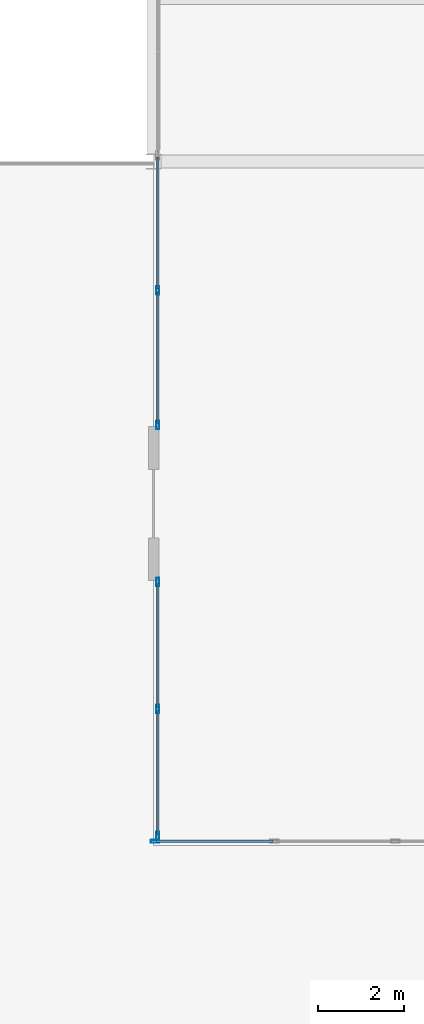
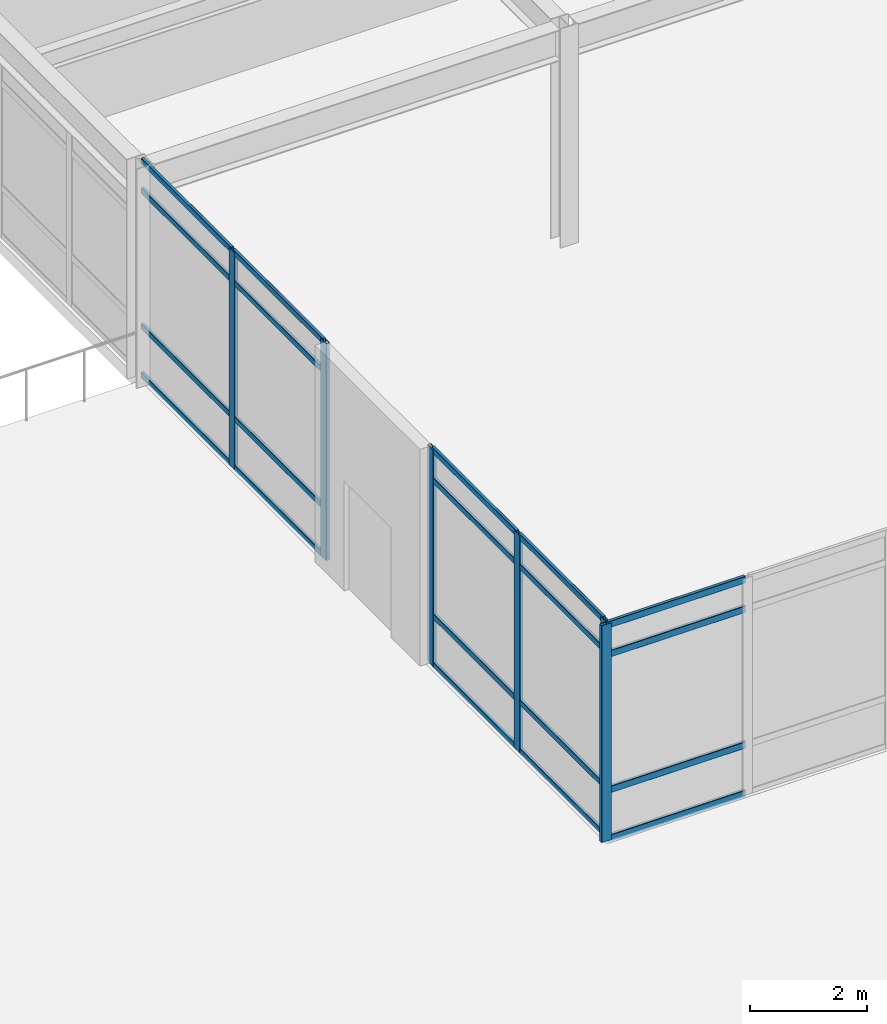
# One storey, part 14 of 154: 26 members, 3 elements without a shape of their own.
"""IFC4 building model written with IfcOpenShell, lengths in metres."""

from ifc_helpers import new_model, si_unit, direction, frame, origin, origin_2d, place, context, subcontext, project, spatial, hollow_rectangle, extrude, material, layer, layer_set, material_profile, profile_set, type_object, element, aggregate, save


model = new_model("IFC4")

# Units and contexts
model_context = context("Model", 3, precision=1e-05, world=origin(), true_north=direction((0.0, 1.0)))
body_context = subcontext(model_context, "Body", "Model", "MODEL_VIEW")
ifc_project = project(units=[si_unit("LENGTHUNIT", "METRE"), si_unit("AREAUNIT", "SQUARE_METRE"), si_unit("VOLUMEUNIT", "CUBIC_METRE"), si_unit("PLANEANGLEUNIT", "RADIAN"), si_unit("MASSUNIT", "GRAM", prefix="KILO")], contexts=[model_context])

# Site, building, storey
site_placement = place(None, origin())
site = spatial("IfcSite", under=ifc_project, at=site_placement, CompositionType="ELEMENT")
building_placement = place(site_placement, origin())
building = spatial("IfcBuilding", under=site, at=building_placement, Name="Kazehara Bluff Congress Hotel", CompositionType="ELEMENT")
storey_placement = place(building_placement, frame((0.0, 0.0, 10.199951171875)))
storey = spatial("IfcBuildingStorey", under=building, at=storey_placement, Name="L02", CompositionType="ELEMENT", Elevation=10.199951171875)

# Curtain wall, member
ifc_material_1 = material(Name="Anodised aluminium", Category="aluminium")
ifc_layer_1 = layer(ifc_material_1, 0.159912109375)
ifc_layer_set_1 = layer_set([ifc_layer_1], Name="Anodised aluminium")
curtain_wall_type_1 = type_object("IfcCurtainWallType", Name="TP-CW-128", PredefinedType="NOTDEFINED", material=ifc_layer_set_1)
curtain_wall_1_placement = place(storey_placement, origin())
curtain_wall_1 = element("IfcCurtainWall", 1, at=curtain_wall_1_placement, inside=storey, type_object=curtain_wall_type_1, Name="L02 curtain wall CW-128 CW-ENC-V2-L02-4209-1610", PredefinedType="NOTDEFINED")
ifc_material_2 = material(Name="Anodised aluminium", Category="aluminium")
ifc_material_profile_1 = material_profile(ifc_material_2, hollow_rectangle(XDim=0.070068359375, YDim=0.199951171875, WallThickness=0.0048828125, InnerFilletRadius=0.0048828125, OuterFilletRadius=0.010009765625, at=origin_2d()))
ifc_profile_set_1 = profile_set([ifc_material_profile_1], Name="Anodised aluminium")
member_type_1 = type_object("IfcMemberType", Name="TP-CWM-03", PredefinedType="MULLION", material=ifc_profile_set_1)
member_1_placement = place(storey_placement, frame((33.635009765625, 16.10009765625, 0.0), z_axis=(0.0, 0.0, 1.0), x_axis=(0.0, -1.0, 0.0)))
member_1 = element("IfcMember", 2, at=member_1_placement, type_object=member_type_1, Name="CW-128 mullion 7", PredefinedType="MULLION", context=body_context, shape_type="SweptSolid", body=[
    extrude(hollow_rectangle(XDim=0.070068359375, YDim=0.199951171875, WallThickness=0.0048828125, InnerFilletRadius=0.0048828125, OuterFilletRadius=0.010009765625, at=origin_2d()), origin(), (0.0, 0.0, 1.0), 4.545166015625),
])

# Curtain wall, members
ifc_material_3 = material(Name="Anodised aluminium", Category="aluminium")
ifc_layer_2 = layer(ifc_material_3, 0.159912109375)
ifc_layer_set_2 = layer_set([ifc_layer_2], Name="Anodised aluminium")
curtain_wall_type_2 = type_object("IfcCurtainWallType", Name="TP-CW-132", PredefinedType="NOTDEFINED", material=ifc_layer_set_2)
curtain_wall_2_placement = place(storey_placement, origin())
curtain_wall_2 = element("IfcCurtainWall", 3, at=curtain_wall_2_placement, inside=storey, type_object=curtain_wall_type_2, Name="L02 curtain wall CW-132 CW-ENC-V2-L02-3370-1920", PredefinedType="NOTDEFINED")
member_2_placement = place(storey_placement, frame((33.699951171875, 16.22509765625, 0.0), z_axis=(0.0, 0.0, 1.0), x_axis=(-1.0, 0.0, 0.0)))
member_2 = element("IfcMember", 4, at=member_2_placement, type_object=member_type_1, Name="CW-132 mullion 1", PredefinedType="MULLION", context=body_context, shape_type="SweptSolid", body=[
    extrude(hollow_rectangle(XDim=0.070068359375, YDim=0.199951171875, WallThickness=0.0048828125, InnerFilletRadius=0.0048828125, OuterFilletRadius=0.010009765625, at=origin_2d()), origin(), (0.0, 0.0, 1.0), 4.545166015625),
])
member_3_placement = place(storey_placement, frame((33.699951171875, 19.195068359375, 0.0), z_axis=(0.0, 0.0, 1.0), x_axis=(-1.0, 0.0, 0.0)))
member_3 = element("IfcMember", 5, at=member_3_placement, type_object=member_type_1, Name="CW-132 mullion 2", PredefinedType="MULLION", context=body_context, shape_type="SweptSolid", body=[
    extrude(hollow_rectangle(XDim=0.070068359375, YDim=0.199951171875, WallThickness=0.0048828125, InnerFilletRadius=0.0048828125, OuterFilletRadius=0.010009765625, at=origin_2d()), origin(), (0.0, 0.0, 1.0), 4.545166015625),
])
member_4_placement = place(storey_placement, frame((33.699951171875, 22.1650390625, 0.0), z_axis=(0.0, 0.0, 1.0), x_axis=(-1.0, 0.0, 0.0)))
member_4 = element("IfcMember", 6, at=member_4_placement, type_object=member_type_1, Name="CW-132 mullion 3", PredefinedType="MULLION", context=body_context, shape_type="SweptSolid", body=[
    extrude(hollow_rectangle(XDim=0.070068359375, YDim=0.199951171875, WallThickness=0.0048828125, InnerFilletRadius=0.0048828125, OuterFilletRadius=0.010009765625, at=origin_2d()), origin(), (0.0, 0.0, 1.0), 4.545166015625),
])

ifc_material_4 = material(Name="Anodised aluminium", Category="aluminium")
ifc_layer_3 = layer(ifc_material_4, 0.159912109375)
ifc_layer_set_3 = layer_set([ifc_layer_3], Name="Anodised aluminium")
curtain_wall_type_3 = type_object("IfcCurtainWallType", Name="TP-CW-133", PredefinedType="NOTDEFINED", material=ifc_layer_set_3)
curtain_wall_3_placement = place(storey_placement, origin())
curtain_wall_3 = element("IfcCurtainWall", 7, at=curtain_wall_3_placement, inside=storey, type_object=curtain_wall_type_3, Name="L02 curtain wall CW-133 CW-ENC-V2-L02-3370-2899", PredefinedType="NOTDEFINED")
member_5_placement = place(storey_placement, frame((33.699951171875, 25.8349609375, 0.0), z_axis=(0.0, 0.0, 1.0), x_axis=(-1.0, 0.0, 0.0)))
member_5 = element("IfcMember", 8, at=member_5_placement, type_object=member_type_1, Name="CW-133 mullion 1", PredefinedType="MULLION", context=body_context, shape_type="SweptSolid", body=[
    extrude(hollow_rectangle(XDim=0.070068359375, YDim=0.199951171875, WallThickness=0.0048828125, InnerFilletRadius=0.0048828125, OuterFilletRadius=0.010009765625, at=origin_2d()), origin(), (0.0, 0.0, 1.0), 4.545166015625),
])
member_6_placement = place(storey_placement, frame((33.699951171875, 28.987548828125, 0.0), z_axis=(0.0, 0.0, 1.0), x_axis=(-1.0, 0.0, 0.0)))
member_6 = element("IfcMember", 9, at=member_6_placement, type_object=member_type_1, Name="CW-133 mullion 2", PredefinedType="MULLION", context=body_context, shape_type="SweptSolid", body=[
    extrude(hollow_rectangle(XDim=0.070068359375, YDim=0.199951171875, WallThickness=0.0048828125, InnerFilletRadius=0.0048828125, OuterFilletRadius=0.010009765625, at=origin_2d()), origin(), (0.0, 0.0, 1.0), 4.545166015625),
])

# Member
ifc_material_5 = material(Name="Anodised aluminium", Category="aluminium")
ifc_material_profile_2 = material_profile(ifc_material_5, hollow_rectangle(XDim=0.06005859375, YDim=0.1201171875, WallThickness=0.00390625, InnerFilletRadius=0.00390625, OuterFilletRadius=0.008056640625, at=origin_2d()))
ifc_profile_set_2 = profile_set([ifc_material_profile_2], Name="Anodised aluminium")
member_type_2 = type_object("IfcMemberType", Name="TP-CWT-01", PredefinedType="USERDEFINED", material=ifc_profile_set_2)
member_7_placement = place(storey_placement, frame((33.699951171875, 16.260009765625, 0.030029296875), z_axis=(0.0, 1.0, 0.0), x_axis=(-1.0, 0.0, 0.0)))
member_7 = element("IfcMember", 10, at=member_7_placement, type_object=member_type_2, Name="CW-132 transom 1.1", ObjectType="TRANSOM", PredefinedType="USERDEFINED", context=body_context, shape_type="SweptSolid", body=[
    extrude(hollow_rectangle(XDim=0.06005859375, YDim=0.1201171875, WallThickness=0.00390625, InnerFilletRadius=0.00390625, OuterFilletRadius=0.008056640625, at=origin_2d()), origin(), (0.0, 0.0, 1.0), 2.89990234375),
])

member_8_placement = place(storey_placement, frame((33.699951171875, 16.260009765625, 1.050048828125), z_axis=(0.0, 1.0, 0.0), x_axis=(-1.0, 0.0, 0.0)))
member_8 = element("IfcMember", 11, at=member_8_placement, type_object=member_type_2, Name="CW-132 transom 1.2", ObjectType="TRANSOM", PredefinedType="USERDEFINED", context=body_context, shape_type="SweptSolid", body=[
    extrude(hollow_rectangle(XDim=0.06005859375, YDim=0.1201171875, WallThickness=0.00390625, InnerFilletRadius=0.00390625, OuterFilletRadius=0.008056640625, at=origin_2d()), origin(), (0.0, 0.0, 1.0), 2.89990234375),
])

member_9_placement = place(storey_placement, frame((33.699951171875, 16.260009765625, 3.89501953125), z_axis=(0.0, 1.0, 0.0), x_axis=(-1.0, 0.0, 0.0)))
member_9 = element("IfcMember", 12, at=member_9_placement, type_object=member_type_2, Name="CW-132 transom 1.3", ObjectType="TRANSOM", PredefinedType="USERDEFINED", context=body_context, shape_type="SweptSolid", body=[
    extrude(hollow_rectangle(XDim=0.06005859375, YDim=0.1201171875, WallThickness=0.00390625, InnerFilletRadius=0.00390625, OuterFilletRadius=0.008056640625, at=origin_2d()), origin(), (0.0, 0.0, 1.0), 2.89990234375),
])

member_10_placement = place(storey_placement, frame((33.699951171875, 16.260009765625, 4.51513671875), z_axis=(0.0, 1.0, 0.0), x_axis=(-1.0, 0.0, 0.0)))
member_10 = element("IfcMember", 13, at=member_10_placement, type_object=member_type_2, Name="CW-132 transom 1.4", ObjectType="TRANSOM", PredefinedType="USERDEFINED", context=body_context, shape_type="SweptSolid", body=[
    extrude(hollow_rectangle(XDim=0.06005859375, YDim=0.1201171875, WallThickness=0.00390625, InnerFilletRadius=0.00390625, OuterFilletRadius=0.008056640625, at=origin_2d()), origin(), (0.0, 0.0, 1.0), 2.89990234375),
])

member_11_placement = place(storey_placement, frame((33.699951171875, 19.22998046875, 0.030029296875), z_axis=(0.0, 1.0, 0.0), x_axis=(-1.0, 0.0, 0.0)))
member_11 = element("IfcMember", 14, at=member_11_placement, type_object=member_type_2, Name="CW-132 transom 2.1", ObjectType="TRANSOM", PredefinedType="USERDEFINED", context=body_context, shape_type="SweptSolid", body=[
    extrude(hollow_rectangle(XDim=0.06005859375, YDim=0.1201171875, WallThickness=0.00390625, InnerFilletRadius=0.00390625, OuterFilletRadius=0.008056640625, at=origin_2d()), origin(), (0.0, 0.0, 1.0), 2.89990234375),
])

member_12_placement = place(storey_placement, frame((33.699951171875, 19.22998046875, 1.050048828125), z_axis=(0.0, 1.0, 0.0), x_axis=(-1.0, 0.0, 0.0)))
member_12 = element("IfcMember", 15, at=member_12_placement, type_object=member_type_2, Name="CW-132 transom 2.2", ObjectType="TRANSOM", PredefinedType="USERDEFINED", context=body_context, shape_type="SweptSolid", body=[
    extrude(hollow_rectangle(XDim=0.06005859375, YDim=0.1201171875, WallThickness=0.00390625, InnerFilletRadius=0.00390625, OuterFilletRadius=0.008056640625, at=origin_2d()), origin(), (0.0, 0.0, 1.0), 2.89990234375),
])

member_13_placement = place(storey_placement, frame((33.699951171875, 19.22998046875, 3.89501953125), z_axis=(0.0, 1.0, 0.0), x_axis=(-1.0, 0.0, 0.0)))
member_13 = element("IfcMember", 16, at=member_13_placement, type_object=member_type_2, Name="CW-132 transom 2.3", ObjectType="TRANSOM", PredefinedType="USERDEFINED", context=body_context, shape_type="SweptSolid", body=[
    extrude(hollow_rectangle(XDim=0.06005859375, YDim=0.1201171875, WallThickness=0.00390625, InnerFilletRadius=0.00390625, OuterFilletRadius=0.008056640625, at=origin_2d()), origin(), (0.0, 0.0, 1.0), 2.89990234375),
])

member_14_placement = place(storey_placement, frame((33.699951171875, 19.22998046875, 4.51513671875), z_axis=(0.0, 1.0, 0.0), x_axis=(-1.0, 0.0, 0.0)))
member_14 = element("IfcMember", 17, at=member_14_placement, type_object=member_type_2, Name="CW-132 transom 2.4", ObjectType="TRANSOM", PredefinedType="USERDEFINED", context=body_context, shape_type="SweptSolid", body=[
    extrude(hollow_rectangle(XDim=0.06005859375, YDim=0.1201171875, WallThickness=0.00390625, InnerFilletRadius=0.00390625, OuterFilletRadius=0.008056640625, at=origin_2d()), origin(), (0.0, 0.0, 1.0), 2.89990234375),
])

aggregate(curtain_wall_2, [member_2, member_3, member_4, member_7, member_8, member_9, member_10, member_11, member_12, member_13, member_14])

member_15_placement = place(storey_placement, frame((33.699951171875, 25.8701171875, 0.030029296875), z_axis=(0.0, 1.0, 0.0), x_axis=(-1.0, 0.0, 0.0)))
member_15 = element("IfcMember", 18, at=member_15_placement, type_object=member_type_2, Name="CW-133 transom 1.1", ObjectType="TRANSOM", PredefinedType="USERDEFINED", context=body_context, shape_type="SweptSolid", body=[
    extrude(hollow_rectangle(XDim=0.06005859375, YDim=0.1201171875, WallThickness=0.00390625, InnerFilletRadius=0.00390625, OuterFilletRadius=0.008056640625, at=origin_2d()), origin(), (0.0, 0.0, 1.0), 3.082275390625),
])

member_16_placement = place(storey_placement, frame((33.699951171875, 25.8701171875, 1.050048828125), z_axis=(0.0, 1.0, 0.0), x_axis=(-1.0, 0.0, 0.0)))
member_16 = element("IfcMember", 19, at=member_16_placement, type_object=member_type_2, Name="CW-133 transom 1.2", ObjectType="TRANSOM", PredefinedType="USERDEFINED", context=body_context, shape_type="SweptSolid", body=[
    extrude(hollow_rectangle(XDim=0.06005859375, YDim=0.1201171875, WallThickness=0.00390625, InnerFilletRadius=0.00390625, OuterFilletRadius=0.008056640625, at=origin_2d()), origin(), (0.0, 0.0, 1.0), 3.082275390625),
])

member_17_placement = place(storey_placement, frame((33.699951171875, 25.8701171875, 3.89501953125), z_axis=(0.0, 1.0, 0.0), x_axis=(-1.0, 0.0, 0.0)))
member_17 = element("IfcMember", 20, at=member_17_placement, type_object=member_type_2, Name="CW-133 transom 1.3", ObjectType="TRANSOM", PredefinedType="USERDEFINED", context=body_context, shape_type="SweptSolid", body=[
    extrude(hollow_rectangle(XDim=0.06005859375, YDim=0.1201171875, WallThickness=0.00390625, InnerFilletRadius=0.00390625, OuterFilletRadius=0.008056640625, at=origin_2d()), origin(), (0.0, 0.0, 1.0), 3.082275390625),
])

member_18_placement = place(storey_placement, frame((33.699951171875, 25.8701171875, 4.51513671875), z_axis=(0.0, 1.0, 0.0), x_axis=(-1.0, 0.0, 0.0)))
member_18 = element("IfcMember", 21, at=member_18_placement, type_object=member_type_2, Name="CW-133 transom 1.4", ObjectType="TRANSOM", PredefinedType="USERDEFINED", context=body_context, shape_type="SweptSolid", body=[
    extrude(hollow_rectangle(XDim=0.06005859375, YDim=0.1201171875, WallThickness=0.00390625, InnerFilletRadius=0.00390625, OuterFilletRadius=0.008056640625, at=origin_2d()), origin(), (0.0, 0.0, 1.0), 3.082275390625),
])

member_19_placement = place(storey_placement, frame((33.699951171875, 29.0224609375, 0.030029296875), z_axis=(0.0, 1.0, 0.0), x_axis=(-1.0, 0.0, 0.0)))
member_19 = element("IfcMember", 22, at=member_19_placement, type_object=member_type_2, Name="CW-133 transom 2.1", ObjectType="TRANSOM", PredefinedType="USERDEFINED", context=body_context, shape_type="SweptSolid", body=[
    extrude(hollow_rectangle(XDim=0.06005859375, YDim=0.1201171875, WallThickness=0.00390625, InnerFilletRadius=0.00390625, OuterFilletRadius=0.008056640625, at=origin_2d()), origin(), (0.0, 0.0, 1.0), 3.08251953125),
])

member_20_placement = place(storey_placement, frame((33.699951171875, 29.0224609375, 1.050048828125), z_axis=(0.0, 1.0, 0.0), x_axis=(-1.0, 0.0, 0.0)))
member_20 = element("IfcMember", 23, at=member_20_placement, type_object=member_type_2, Name="CW-133 transom 2.2", ObjectType="TRANSOM", PredefinedType="USERDEFINED", context=body_context, shape_type="SweptSolid", body=[
    extrude(hollow_rectangle(XDim=0.06005859375, YDim=0.1201171875, WallThickness=0.00390625, InnerFilletRadius=0.00390625, OuterFilletRadius=0.008056640625, at=origin_2d()), origin(), (0.0, 0.0, 1.0), 3.08251953125),
])

member_21_placement = place(storey_placement, frame((33.699951171875, 29.0224609375, 3.89501953125), z_axis=(0.0, 1.0, 0.0), x_axis=(-1.0, 0.0, 0.0)))
member_21 = element("IfcMember", 24, at=member_21_placement, type_object=member_type_2, Name="CW-133 transom 2.3", ObjectType="TRANSOM", PredefinedType="USERDEFINED", context=body_context, shape_type="SweptSolid", body=[
    extrude(hollow_rectangle(XDim=0.06005859375, YDim=0.1201171875, WallThickness=0.00390625, InnerFilletRadius=0.00390625, OuterFilletRadius=0.008056640625, at=origin_2d()), origin(), (0.0, 0.0, 1.0), 3.08251953125),
])

member_22_placement = place(storey_placement, frame((33.699951171875, 29.0224609375, 4.51513671875), z_axis=(0.0, 1.0, 0.0), x_axis=(-1.0, 0.0, 0.0)))
member_22 = element("IfcMember", 25, at=member_22_placement, type_object=member_type_2, Name="CW-133 transom 2.4", ObjectType="TRANSOM", PredefinedType="USERDEFINED", context=body_context, shape_type="SweptSolid", body=[
    extrude(hollow_rectangle(XDim=0.06005859375, YDim=0.1201171875, WallThickness=0.00390625, InnerFilletRadius=0.00390625, OuterFilletRadius=0.008056640625, at=origin_2d()), origin(), (0.0, 0.0, 1.0), 3.08251953125),
])

aggregate(curtain_wall_3, [member_5, member_6, member_15, member_16, member_17, member_18, member_19, member_20, member_21, member_22])

ifc_material_6 = material(Name="Anodised aluminium", Category="aluminium")
ifc_material_profile_3 = material_profile(ifc_material_6, hollow_rectangle(XDim=0.06494140625, YDim=0.139892578125, WallThickness=0.00390625, InnerFilletRadius=0.00390625, OuterFilletRadius=0.008056640625, at=origin_2d()))
ifc_profile_set_3 = profile_set([ifc_material_profile_3], Name="Anodised aluminium")
member_type_3 = type_object("IfcMemberType", Name="TP-CWT-02", PredefinedType="USERDEFINED", material=ifc_profile_set_3)
member_23_placement = place(storey_placement, frame((36.394287109375, 16.10009765625, 0.032470703125), z_axis=(-1.0, 0.0, 0.0), x_axis=(0.0, -1.0, 0.0)))
member_23 = element("IfcMember", 26, at=member_23_placement, type_object=member_type_3, Name="CW-128 transom 6.1", ObjectType="TRANSOM", PredefinedType="USERDEFINED", context=body_context, shape_type="SweptSolid", body=[
    extrude(hollow_rectangle(XDim=0.06494140625, YDim=0.139892578125, WallThickness=0.00390625, InnerFilletRadius=0.00390625, OuterFilletRadius=0.008056640625, at=origin_2d()), origin(), (0.0, 0.0, 1.0), 2.724365234375),
])

member_24_placement = place(storey_placement, frame((36.394287109375, 16.10009765625, 1.050048828125), z_axis=(-1.0, 0.0, 0.0), x_axis=(0.0, -1.0, 0.0)))
member_24 = element("IfcMember", 27, at=member_24_placement, type_object=member_type_3, Name="CW-128 transom 6.2", ObjectType="TRANSOM", PredefinedType="USERDEFINED", context=body_context, shape_type="SweptSolid", body=[
    extrude(hollow_rectangle(XDim=0.06494140625, YDim=0.139892578125, WallThickness=0.00390625, InnerFilletRadius=0.00390625, OuterFilletRadius=0.008056640625, at=origin_2d()), origin(), (0.0, 0.0, 1.0), 2.724365234375),
])

member_25_placement = place(storey_placement, frame((36.394287109375, 16.10009765625, 3.89501953125), z_axis=(-1.0, 0.0, 0.0), x_axis=(0.0, -1.0, 0.0)))
member_25 = element("IfcMember", 28, at=member_25_placement, type_object=member_type_3, Name="CW-128 transom 6.3", ObjectType="TRANSOM", PredefinedType="USERDEFINED", context=body_context, shape_type="SweptSolid", body=[
    extrude(hollow_rectangle(XDim=0.06494140625, YDim=0.139892578125, WallThickness=0.00390625, InnerFilletRadius=0.00390625, OuterFilletRadius=0.008056640625, at=origin_2d()), origin(), (0.0, 0.0, 1.0), 2.724365234375),
])

member_26_placement = place(storey_placement, frame((36.394287109375, 16.10009765625, 4.512451171875), z_axis=(-1.0, 0.0, 0.0), x_axis=(0.0, -1.0, 0.0)))
member_26 = element("IfcMember", 29, at=member_26_placement, type_object=member_type_3, Name="CW-128 transom 6.4", ObjectType="TRANSOM", PredefinedType="USERDEFINED", context=body_context, shape_type="SweptSolid", body=[
    extrude(hollow_rectangle(XDim=0.06494140625, YDim=0.139892578125, WallThickness=0.00390625, InnerFilletRadius=0.00390625, OuterFilletRadius=0.008056640625, at=origin_2d()), origin(), (0.0, 0.0, 1.0), 2.724365234375),
])

aggregate(curtain_wall_1, [member_1, member_23, member_24, member_25, member_26])

save(model, "model.ifc")
